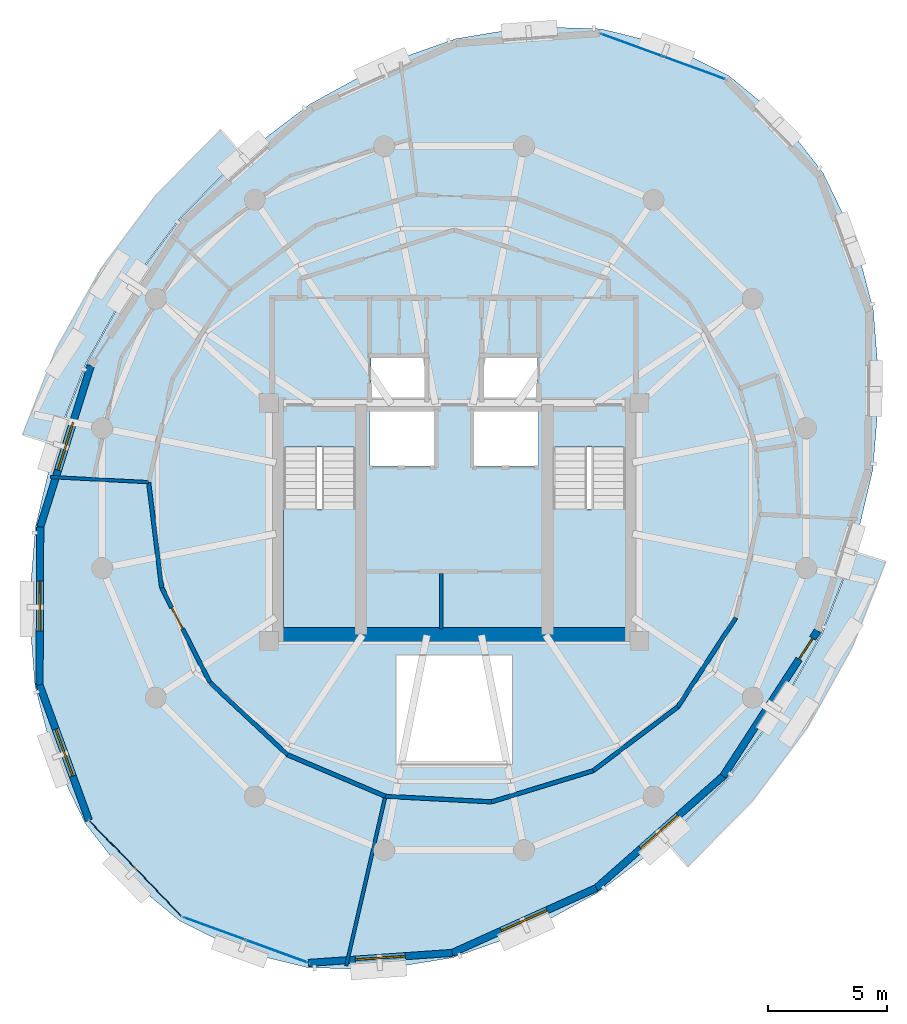
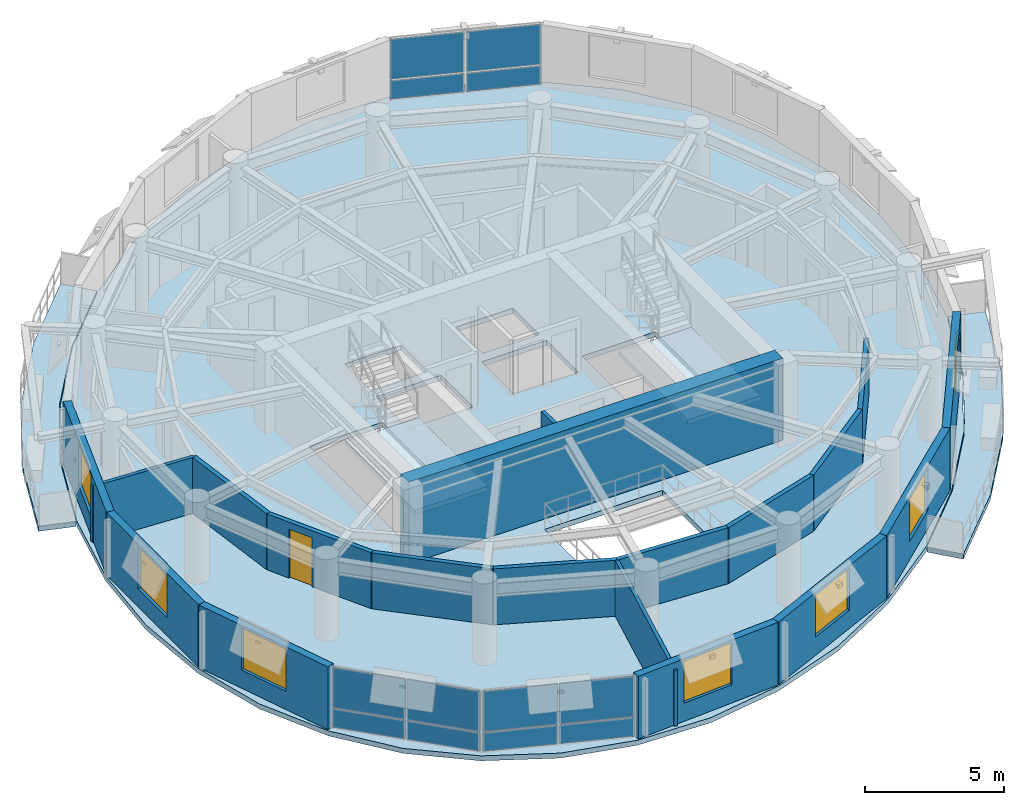
# One storey, part 6 of 11: 19 walls, 12 plates, 6 windows, 5 slabs, 2 doors, 8 openings, 5 elements without a shape of their own.
"""IFC4 building model written with IfcOpenShell, lengths in metres."""

from ifc_helpers import new_model, si_unit, direction, frame, frame_2d, origin, origin_2d, place, context, subcontext, project, spatial, polyline, rectangle, outline, extrude, material, layer, layer_set, type_object, element, fill, aggregate, save


model = new_model("IFC4")

# Units and contexts
model_context = context("Model", 3, precision=1e-05, world=origin(), true_north=direction((0.0, 1.0)))
body_context = subcontext(model_context, "Body", "Model", "MODEL_VIEW")
ifc_project = project(units=[si_unit("LENGTHUNIT", "METRE"), si_unit("AREAUNIT", "SQUARE_METRE"), si_unit("VOLUMEUNIT", "CUBIC_METRE"), si_unit("PLANEANGLEUNIT", "RADIAN"), si_unit("MASSUNIT", "GRAM", prefix="KILO"), si_unit("THERMODYNAMICTEMPERATUREUNIT", "KELVIN"), si_unit("POWERUNIT", "WATT")], contexts=[model_context])

# Site, building, storey
site_placement = place(None, origin())
site = spatial("IfcSite", under=ifc_project, at=site_placement, CompositionType="ELEMENT")
building_placement = place(site_placement, origin())
building = spatial("IfcBuilding", under=site, at=building_placement, Name="Ocrelia Relay Tower", CompositionType="ELEMENT")
storey_placement = place(building_placement, frame((0.0, 0.0, 266.39990234375)))
storey = spatial("IfcBuildingStorey", under=building, at=storey_placement, Name="L66", CompositionType="ELEMENT", Elevation=266.39990234375)

# Curtain wall, plates
ifc_material_1 = material(Name="Aluminium and solar-control low-E glass", Category="aluminium")
ifc_layer_1 = layer(ifc_material_1, 0.179931640625, Name="Aluminium and solar-control low-E glass")
ifc_layer_set_1 = layer_set([ifc_layer_1], Name="Aluminium and solar-control low-E glass")
curtain_wall_type = type_object("IfcCurtainWallType", Name="CW-SYS-Z4-EXEC", PredefinedType="NOTDEFINED", material=ifc_layer_set_1)
curtain_wall_1_placement = place(storey_placement, origin())
curtain_wall_1 = element("IfcCurtainWall", 1, at=curtain_wall_1_placement, inside=storey, type_object=curtain_wall_type, Name="L66 Elliptical Tower Curtain Wall Bay 01", PredefinedType="NOTDEFINED")
ifc_material_2 = material(Name="Clear double-glazed low-E glass", Category="glass")
ifc_layer_2 = layer(ifc_material_2, 0.031982421875, Name="Clear double-glazed low-E glass")
ifc_layer_set_2 = layer_set([ifc_layer_2], Name="Clear double-glazed low-E glass")
plate_type = type_object("IfcPlateType", Name="CW-SYS-Z4-EXEC-PNL", PredefinedType="CURTAIN_PANEL", material=ifc_layer_set_2)
plate_1_placement = place(storey_placement, frame((44.09521484375, 44.101806640625, 0.06005859375), z_axis=(0.0, 0.0, 1.0), x_axis=(-0.939408893215, 0.342798674659, 0.0)))
plate_1 = element("IfcPlate", 2, at=plate_1_placement, type_object=plate_type, Name="CW-Z4 panel 1.1", PredefinedType="CURTAIN_PANEL", context=body_context, shape_type="SweptSolid", body=[
    extrude(rectangle(XDim=2.7275390625, YDim=0.031982421875, at=origin_2d()), origin(), (0.0, 0.0, 1.0), 0.81005859375),
])
plate_2_placement = place(storey_placement, frame((44.09521484375, 44.101806640625, 0.93017578125), z_axis=(0.0, 0.0, 1.0), x_axis=(-0.939408893215, 0.342798674659, 0.0)))
plate_2 = element("IfcPlate", 3, at=plate_2_placement, type_object=plate_type, Name="CW-Z4 panel 1.2", PredefinedType="CURTAIN_PANEL", context=body_context, shape_type="SweptSolid", body=[
    extrude(rectangle(XDim=2.7275390625, YDim=0.031982421875, at=origin_2d()), origin(), (0.0, 0.0, 1.0), 1.77001953125),
])
plate_3_placement = place(storey_placement, frame((41.4716796875, 45.059326171875, 0.06005859375), z_axis=(0.0, 0.0, 1.0), x_axis=(-0.939408893215, 0.342798674659, 0.0)))
plate_3 = element("IfcPlate", 4, at=plate_3_placement, type_object=plate_type, Name="CW-Z4 panel 2.1", PredefinedType="CURTAIN_PANEL", context=body_context, shape_type="SweptSolid", body=[
    extrude(rectangle(XDim=2.7275390625, YDim=0.031982421875, at=origin_2d()), origin(), (0.0, 0.0, 1.0), 0.81005859375),
])
plate_4_placement = place(storey_placement, frame((41.4716796875, 45.059326171875, 0.93017578125), z_axis=(0.0, 0.0, 1.0), x_axis=(-0.939408893215, 0.342798674659, 0.0)))
plate_4 = element("IfcPlate", 5, at=plate_4_placement, type_object=plate_type, Name="CW-Z4 panel 2.2", PredefinedType="CURTAIN_PANEL", context=body_context, shape_type="SweptSolid", body=[
    extrude(rectangle(XDim=2.7275390625, YDim=0.031982421875, at=origin_2d()), origin(), (0.0, 0.0, 1.0), 1.77001953125),
])
aggregate(curtain_wall_1, [plate_1, plate_2, plate_3, plate_4])

curtain_wall_2_placement = place(storey_placement, origin())
curtain_wall_2 = element("IfcCurtainWall", 6, at=curtain_wall_2_placement, inside=storey, type_object=curtain_wall_type, Name="L66 Elliptical Tower Curtain Wall Bay 09", PredefinedType="NOTDEFINED")
plate_5_placement = place(storey_placement, frame((19.627685546875, 11.422119140625, 0.06005859375), z_axis=(0.0, 0.0, 1.0), x_axis=(0.695257493895, -0.718760751004, 0.0)))
plate_5 = element("IfcPlate", 7, at=plate_5_placement, type_object=plate_type, Name="CW-Z4 panel 1.1", PredefinedType="CURTAIN_PANEL", context=body_context, shape_type="SweptSolid", body=[
    extrude(rectangle(XDim=2.7275390625, YDim=0.031982421875, at=origin_2d()), origin(), (0.0, 0.0, 1.0), 0.81005859375),
])
plate_6_placement = place(storey_placement, frame((19.627685546875, 11.422119140625, 0.93017578125), z_axis=(0.0, 0.0, 1.0), x_axis=(0.695257493895, -0.718760751004, 0.0)))
plate_6 = element("IfcPlate", 8, at=plate_6_placement, type_object=plate_type, Name="CW-Z4 panel 1.2", PredefinedType="CURTAIN_PANEL", context=body_context, shape_type="SweptSolid", body=[
    extrude(rectangle(XDim=2.7275390625, YDim=0.031982421875, at=origin_2d()), origin(), (0.0, 0.0, 1.0), 1.77001953125),
])
plate_7_placement = place(storey_placement, frame((21.569091796875, 9.414794921875, 0.06005859375), z_axis=(0.0, 0.0, 1.0), x_axis=(0.695257493895, -0.718760751004, 0.0)))
plate_7 = element("IfcPlate", 9, at=plate_7_placement, type_object=plate_type, Name="CW-Z4 panel 2.1", PredefinedType="CURTAIN_PANEL", context=body_context, shape_type="SweptSolid", body=[
    extrude(rectangle(XDim=2.7275390625, YDim=0.031982421875, at=origin_2d()), origin(), (0.0, 0.0, 1.0), 0.81005859375),
])
plate_8_placement = place(storey_placement, frame((21.569091796875, 9.414794921875, 0.93017578125), z_axis=(0.0, 0.0, 1.0), x_axis=(0.695257493895, -0.718760751004, 0.0)))
plate_8 = element("IfcPlate", 10, at=plate_8_placement, type_object=plate_type, Name="CW-Z4 panel 2.2", PredefinedType="CURTAIN_PANEL", context=body_context, shape_type="SweptSolid", body=[
    extrude(rectangle(XDim=2.7275390625, YDim=0.031982421875, at=origin_2d()), origin(), (0.0, 0.0, 1.0), 1.77001953125),
])
aggregate(curtain_wall_2, [plate_5, plate_6, plate_7, plate_8])

curtain_wall_3_placement = place(storey_placement, origin())
curtain_wall_3 = element("IfcCurtainWall", 11, at=curtain_wall_3_placement, inside=storey, type_object=curtain_wall_type, Name="L66 Elliptical Tower Curtain Wall Bay 10", PredefinedType="NOTDEFINED")
plate_9_placement = place(storey_placement, frame((23.90478515625, 7.898193359375, 0.06005859375), z_axis=(0.0, 0.0, 1.0), x_axis=(0.939408893215, -0.342798674659, 0.0)))
plate_9 = element("IfcPlate", 12, at=plate_9_placement, type_object=plate_type, Name="CW-Z4 panel 1.1", PredefinedType="CURTAIN_PANEL", context=body_context, shape_type="SweptSolid", body=[
    extrude(rectangle(XDim=2.7275390625, YDim=0.031982421875, at=origin_2d()), origin(), (0.0, 0.0, 1.0), 0.81005859375),
])
plate_10_placement = place(storey_placement, frame((23.90478515625, 7.898193359375, 0.93017578125), z_axis=(0.0, 0.0, 1.0), x_axis=(0.939408893215, -0.342798674659, 0.0)))
plate_10 = element("IfcPlate", 13, at=plate_10_placement, type_object=plate_type, Name="CW-Z4 panel 1.2", PredefinedType="CURTAIN_PANEL", context=body_context, shape_type="SweptSolid", body=[
    extrude(rectangle(XDim=2.7275390625, YDim=0.031982421875, at=origin_2d()), origin(), (0.0, 0.0, 1.0), 1.77001953125),
])
plate_11_placement = place(storey_placement, frame((26.5283203125, 6.940673828125, 0.06005859375), z_axis=(0.0, 0.0, 1.0), x_axis=(0.939408893215, -0.342798674659, 0.0)))
plate_11 = element("IfcPlate", 14, at=plate_11_placement, type_object=plate_type, Name="CW-Z4 panel 2.1", PredefinedType="CURTAIN_PANEL", context=body_context, shape_type="SweptSolid", body=[
    extrude(rectangle(XDim=2.7275390625, YDim=0.031982421875, at=origin_2d()), origin(), (0.0, 0.0, 1.0), 0.81005859375),
])
plate_12_placement = place(storey_placement, frame((26.5283203125, 6.940673828125, 0.93017578125), z_axis=(0.0, 0.0, 1.0), x_axis=(0.939408893215, -0.342798674659, 0.0)))
plate_12 = element("IfcPlate", 15, at=plate_12_placement, type_object=plate_type, Name="CW-Z4 panel 2.2", PredefinedType="CURTAIN_PANEL", context=body_context, shape_type="SweptSolid", body=[
    extrude(rectangle(XDim=2.7275390625, YDim=0.031982421875, at=origin_2d()), origin(), (0.0, 0.0, 1.0), 1.77001953125),
])
aggregate(curtain_wall_3, [plate_9, plate_10, plate_11, plate_12])

# Slabs
ifc_material_3 = material(Name="Precast concrete C40/50", Category="concrete")
ifc_layer_3 = layer(ifc_material_3, 0.219970703125, Name="Precast concrete C40/50")
ifc_layer_set_3 = layer_set([ifc_layer_3], Name="Precast concrete C40/50")
slab_type_1 = type_object("IfcSlabType", Name="SL-BALC-220", PredefinedType="FLOOR", material=ifc_layer_set_3)
slab_1_placement = place(storey_placement, frame((0.0, 0.0, -0.219970703125)))
element("IfcSlab", 16, at=slab_1_placement, inside=storey, type_object=slab_type_1, Name="L66 Planted Loggia Balcony B1", PredefinedType="FLOOR", context=body_context, shape_type="SweptSolid", body=[
    extrude(outline(polyline([(25.083251953125, 40.44580078125), (23.801513671875, 39.14794921875), (22.51953125, 37.849853515625), (20.304443359375, 34.89404296875), (18.505126953125, 31.668212890625), (17.8408203125, 29.968994140625), (17.17626953125, 28.270263671875), (15.845947265625, 28.684814453125), (16.545654296875, 30.4736328125), (17.2451171875, 32.2626953125), (19.135986328125, 35.652587890625), (21.464111328125, 38.75927734375), (22.813720703125, 40.125732421875), (24.163330078125, 41.492431640625), (25.083251953125, 40.44580078125)])), origin(), (0.0, 0.0, 1.0), 0.219970703125),
])
slab_2_placement = place(storey_placement, frame((0.0, 0.0, -0.219970703125)))
element("IfcSlab", 17, at=slab_2_placement, inside=storey, type_object=slab_type_1, Name="L66 Planted Loggia Balcony B2", PredefinedType="FLOOR", context=body_context, shape_type="SweptSolid", body=[
    extrude(outline(polyline([(42.916748046875, 11.55419921875), (44.198486328125, 12.85205078125), (45.48046875, 14.150146484375), (47.695556640625, 17.10595703125), (49.494873046875, 20.331787109375), (50.1591796875, 22.031005859375), (50.82373046875, 23.729736328125), (52.154052734375, 23.315185546875), (51.454345703125, 21.5263671875), (50.7548828125, 19.7373046875), (48.864013671875, 16.347412109375), (46.535888671875, 13.24072265625), (45.186279296875, 11.874267578125), (43.836669921875, 10.507568359375), (42.916748046875, 11.55419921875)])), origin(), (0.0, 0.0, 1.0), 0.219970703125),
])
ifc_material_4 = material(Name="Concrete C50/60", Category="concrete")
ifc_layer_4 = layer(ifc_material_4, 0.219970703125, Name="Concrete C50/60")
ifc_layer_set_4 = layer_set([ifc_layer_4], Name="Concrete C50/60")
slab_type_2 = type_object("IfcSlabType", Name="SL-FLR-220", PredefinedType="FLOOR", material=ifc_layer_set_4)
slab_3_placement = place(storey_placement, frame((0.0, 0.0, -0.219970703125)))
element("IfcSlab", 18, at=slab_3_placement, inside=storey, type_object=slab_type_2, Name="L66 Elliptical Tower Floor Slab", PredefinedType="FLOOR", context=body_context, shape_type="SweptSolid", body=[
    extrude(outline(polyline([(45.54638671875, 43.77978515625), (42.9970703125, 45.05126953125), (40.174560546875, 45.743896484375), (37.164306640625, 45.836669921875), (34.057861328125, 45.32666015625), (30.94970703125, 44.229248046875), (27.934326171875, 42.578125), (25.103271484375, 40.42333984375), (22.54248046875, 37.830078125), (20.32958984375, 34.877685546875), (18.532470703125, 31.6552734375), (17.205078125, 28.26123046875), (16.387939453125, 24.79833984375), (16.106201171875, 21.3720703125), (16.367919921875, 18.086181640625), (17.165283203125, 15.041015625), (18.474609375, 12.328857421875), (20.255126953125, 10.031982421875), (22.45361328125, 8.22021484375), (25.0029296875, 6.94873046875), (27.825439453125, 6.256103515625), (30.835693359375, 6.163330078125), (33.942138671875, 6.67333984375), (37.05029296875, 7.770751953125), (40.065673828125, 9.421875), (42.896728515625, 11.57666015625), (45.45751953125, 14.169921875), (47.67041015625, 17.122314453125), (49.467529296875, 20.3447265625), (50.794921875, 23.73876953125), (51.612060546875, 27.20166015625), (51.893798828125, 30.6279296875), (51.632080078125, 33.913818359375), (50.834716796875, 36.958984375), (49.525390625, 39.671142578125), (47.744873046875, 41.968017578125), (45.54638671875, 43.77978515625)]), holes=[polyline([(26.81005859375, 28.14990234375), (26.81005859375, 20.550048828125), (29.85009765625, 20.550048828125), (29.85009765625, 28.14990234375), (26.81005859375, 28.14990234375)]), polyline([(38.159912109375, 28.14990234375), (38.159912109375, 20.550048828125), (41.199951171875, 20.550048828125), (41.199951171875, 28.14990234375), (38.159912109375, 28.14990234375)]), polyline([(30.4599609375, 27.35009765625), (33.159912109375, 27.35009765625), (33.159912109375, 29.64990234375), (30.4599609375, 29.64990234375), (30.4599609375, 27.35009765625)]), polyline([(34.840087890625, 27.35009765625), (37.5400390625, 27.35009765625), (37.5400390625, 29.64990234375), (34.840087890625, 29.64990234375), (34.840087890625, 27.35009765625)]), polyline([(30.5, 30.10009765625), (32.85009765625, 30.10009765625), (32.85009765625, 32.0), (30.5, 32.0), (30.5, 30.10009765625)]), polyline([(35.14990234375, 30.10009765625), (37.5, 30.10009765625), (37.5, 32.0), (35.14990234375, 32.0), (35.14990234375, 30.10009765625)]), polyline([(31.550048828125, 14.800048828125), (36.449951171875, 14.800048828125), (36.449951171875, 19.39990234375), (31.550048828125, 19.39990234375), (31.550048828125, 14.800048828125)])]), origin(), (0.0, 0.0, 1.0), 0.219970703125),
])

# Stair, slab
stair_type = type_object("IfcStairType", Name="ST-DL-1420-R180", PredefinedType="HALF_TURN_STAIR", material=ifc_material_4)
stair_1_placement = place(storey_placement, origin())
stair_1 = element("IfcStair", 19, at=stair_1_placement, inside=storey, type_object=stair_type, Name="L66 West Core Exit Stair ST1", PredefinedType="HALF_TURN_STAIR")
ifc_layer_5 = layer(ifc_material_4, 0.199951171875, Name="Concrete C50/60")
ifc_layer_set_5 = layer_set([ifc_layer_5], Name="Concrete C50/60")
slab_type_3 = type_object("IfcSlabType", Name="SL-LANDING-200", PredefinedType="LANDING", material=ifc_layer_set_5)
slab_4_placement = place(storey_placement, frame((0.0, 0.0, 1.60009765625)))
slab_4 = element("IfcSlab", 20, at=slab_4_placement, type_object=slab_type_3, Name="ST1 landing 1", PredefinedType="LANDING", context=body_context, shape_type="SweptSolid", body=[
    extrude(outline(polyline([(26.81005859375, 25.5400390625), (26.81005859375, 20.550048828125), (29.85009765625, 20.550048828125), (29.85009765625, 25.5400390625), (26.81005859375, 25.5400390625)])), origin(), (0.0, 0.0, 1.0), 0.199951171875),
])
aggregate(stair_1, [slab_4])

stair_2_placement = place(storey_placement, origin())
stair_2 = element("IfcStair", 21, at=stair_2_placement, inside=storey, type_object=stair_type, Name="L66 East Core Exit Stair ST2", PredefinedType="HALF_TURN_STAIR")
slab_5_placement = place(storey_placement, frame((0.0, 0.0, 1.60009765625)))
slab_5 = element("IfcSlab", 22, at=slab_5_placement, type_object=slab_type_3, Name="ST2 landing 1", PredefinedType="LANDING", context=body_context, shape_type="SweptSolid", body=[
    extrude(outline(polyline([(38.159912109375, 25.5400390625), (38.159912109375, 20.550048828125), (41.199951171875, 20.550048828125), (41.199951171875, 25.5400390625), (38.159912109375, 25.5400390625)])), origin(), (0.0, 0.0, 1.0), 0.199951171875),
])
aggregate(stair_2, [slab_5])

# Walls
ifc_layer_6 = layer(ifc_material_4, 0.60009765625, Name="Concrete C50/60")
ifc_layer_set_6 = layer_set([ifc_layer_6], Name="Concrete C50/60")
wall_type_1 = type_object("IfcWallType", Name="CW-CORE-600B", PredefinedType="SHEAR", material=ifc_layer_set_6)
wall_1_placement = place(storey_placement, frame((26.221923828125, 20.261962890625, 0.0), z_axis=(0.0, 0.0, 1.0), x_axis=(1.0, 0.0, 0.0)))
element("IfcWall", 23, at=wall_1_placement, inside=storey, type_object=wall_type_1, Name="L66 Core Shear Wall S", PredefinedType="SHEAR", context=body_context, shape_type="SweptSolid", body=[
    extrude(rectangle(XDim=15.566162109375, YDim=0.60009765625, at=frame_2d((7.783203125, 0.0))), origin(), (0.0, 0.0, 1.0), 3.60009765625),
])
ifc_material_5 = material(Name="Gypsum Fireboard Partition EI60", Category="gypsum")
ifc_layer_7 = layer(ifc_material_5, 0.179931640625, Name="Gypsum Fireboard Partition EI60")
ifc_layer_set_7 = layer_set([ifc_layer_7], Name="Gypsum Fireboard Partition EI60")
wall_type_2 = type_object("IfcWallType", Name="W-CORR-EI60-180", PredefinedType="PARTITIONING", material=ifc_layer_set_7)
wall_2_placement = place(storey_placement, frame((21.147705078125, 26.673583984375, 0.0), z_axis=(0.0, 0.0, 1.0), x_axis=(0.121862979882, -0.992546932963, 0.0)))
element("IfcWall", 24, at=wall_2_placement, inside=storey, type_object=wall_type_2, Name="L66 Treaty Folio Store C Corridor Partition 1", PredefinedType="PARTITIONING", context=body_context, shape_type="SweptSolid", body=[
    extrude(rectangle(XDim=4.469482421875, YDim=0.179931640625, at=frame_2d((2.23486328125, 0.0))), origin(), (0.0, 0.0, 1.0), 2.460205078125),
])

# Wall, opening, door
wall_3_placement = place(storey_placement, frame((21.6923828125, 22.2373046875, 0.0), z_axis=(0.0, 0.0, 1.0), x_axis=(0.453995327743, -0.891004064181, 0.0)))
wall_3 = element("IfcWall", 25, at=wall_3_placement, inside=storey, type_object=wall_type_2, Name="L66 Treaty Folio Store C Corridor Partition 2", PredefinedType="PARTITIONING", context=body_context, shape_type="SweptSolid", body=[
    extrude(rectangle(XDim=4.469970703125, YDim=0.179931640625, at=frame_2d((2.23486328125, 0.0))), origin(), (0.0, 0.0, 1.0), 2.460205078125),
])
opening_1_placement = place(wall_3_placement, frame((0.9423828125, 0.0, 0.0)))
opening_1 = element("IfcOpeningElement", 26, at=opening_1_placement, cuts=wall_3, Name="Opening D-RM100", PredefinedType="OPENING", context=body_context, shape_type="SweptSolid", body=[
    extrude(rectangle(XDim=1.0, YDim=2.14990234375, at=frame_2d((0.5, 1.074951171875))), frame((0.0, 0.10009765625, 0.0), z_axis=(0.0, -1.0, 0.0), x_axis=(1.0, 0.0, 0.0)), (0.0, 0.0, 1.0), 0.199951171875),
])
ifc_material_6 = material(Name="Acoustic oak veneer fire door", Category="wood")
door_type_1 = type_object("IfcDoorType", Name="DR-ROOM-FD60-1000", OperationType="NOTDEFINED", PredefinedType="DOOR", material=ifc_material_6)
door_1_placement = place(opening_1_placement, origin())
door_1 = element("IfcDoor", 27, at=door_1_placement, inside=storey, type_object=door_type_1, Name="L66 Treaty Folio Store C Entrance Door", OperationType="SINGLE_SWING_RIGHT", OverallHeight=2.14990234375, OverallWidth=1.0, PredefinedType="DOOR", context=body_context, shape_type="SweptSolid", body=[
    extrude(rectangle(XDim=1.0, YDim=2.14990234375, at=frame_2d((0.5, 1.074951171875))), frame((0.0, 0.02490234375, 0.0), z_axis=(0.0, -1.0, 0.0), x_axis=(1.0, 0.0, 0.0)), (0.0, 0.0, 1.0), 0.050048828125),
])
fill(opening_1, door_1)

# Walls
for number, where, z_axis, x_axis, name in (
    (28, (23.7216796875, 18.254638671875, 0.0), (0.0, 0.0, 1.0), (0.731338566721, -0.682014589893, 0.0), "L66 Treaty Folio Store C Corridor Partition 3"),
    (29, (26.990478515625, 15.206298828125, 0.0), (0.0, 0.0, 1.0), (0.920518095396, -0.390699930954, 0.0), "L66 Treaty Folio Store C Corridor Partition 4"),
    (30, (31.10498046875, 13.4599609375, 0.0), (0.0, 0.0, 1.0), (0.998627168412, -0.052381089236, 0.0), "L66 Archive Vault Store West Corridor Partition 1"),
    (31, (35.568603515625, 13.225830078125, 0.0), (0.0, 0.0, 1.0), (0.956300674808, 0.292385053247, 0.0), "L66 Archive Vault Store West Corridor Partition 2"),
    (32, (39.843017578125, 14.53271484375, 0.0), (0.0, 0.0, 1.0), (0.798627995496, 0.601824995169, 0.0), "L66 Archive Vault Store West Corridor Partition 3"),
    (33, (43.41259765625, 17.22265625, 0.0), (0.0, 0.0, 1.0), (0.544638874192, 0.838670672385, 0.0), "L66 Archive Vault Store West Corridor Partition 4"),
):
    element("IfcWall", number, at=place(storey_placement, frame(where, z_axis=z_axis, x_axis=x_axis)), inside=storey, type_object=wall_type_2, Name=name, PredefinedType="PARTITIONING", context=body_context, shape_type="SweptSolid", body=[
        extrude(rectangle(XDim=4.4697265625, YDim=0.179931640625, at=frame_2d((2.23486328125, 0.0))), origin(), (0.0, 0.0, 1.0), 2.460205078125),
    ])

# Wall, opening, window
ifc_material_7 = material(Name="Precast concrete C40/50 with oxide terracotta", Category="masonry")
ifc_layer_8 = layer(ifc_material_7, 0.300048828125, Name="Precast concrete C40/50 with oxide terracotta")
ifc_layer_set_8 = layer_set([ifc_layer_8], Name="Precast concrete C40/50 with oxide terracotta")
wall_type_3 = type_object("IfcWallType", Name="W-EXT-TERR-300", PredefinedType="SOLIDWALL", material=ifc_layer_set_8)
wall_4_placement = place(storey_placement, frame((18.716552734375, 31.5771484375, 0.0), z_axis=(0.0, 0.0, 1.0), x_axis=(-0.299202870459, -0.954189521169, 0.0)))
wall_4 = element("IfcWall", 34, at=wall_4_placement, inside=storey, type_object=wall_type_3, Name="L66 Oxide Terracotta Facade Wall 06", PredefinedType="SOLIDWALL", context=body_context, shape_type="SweptSolid", body=[
    extrude(rectangle(XDim=7.115234375, YDim=0.300048828125, at=frame_2d((3.5576171875, 0.0))), origin(), (0.0, 0.0, 1.0), 2.760009765625),
])
opening_2_placement = place(wall_4_placement, frame((2.508056640625, 0.0, 0.800048828125)))
opening_2 = element("IfcOpeningElement", 35, at=opening_2_placement, cuts=wall_4, Name="Opening W-07", PredefinedType="OPENING", context=body_context, shape_type="SweptSolid", body=[
    extrude(rectangle(XDim=2.10009765625, YDim=1.85009765625, at=frame_2d((1.050048828125, 0.925048828125))), frame((0.0, 0.16015625, 0.0), z_axis=(0.0, -1.0, 0.0), x_axis=(1.0, 0.0, 0.0)), (0.0, 0.0, 1.0), 0.320068359375),
])
window_type = type_object("IfcWindowType", Name="WIN-Z4-2100x2200", PartitioningType="DOUBLE_PANEL_VERTICAL", PredefinedType="WINDOW", material=ifc_material_2)
window_1_placement = place(opening_2_placement, origin())
window_1 = element("IfcWindow", 36, at=window_1_placement, inside=storey, type_object=window_type, Name="L66 Facade Module Window 06", OverallHeight=1.85009765625, OverallWidth=2.10009765625, PartitioningType="SINGLE_PANEL", PredefinedType="WINDOW", context=body_context, shape_type="SweptSolid", body=[
    extrude(rectangle(XDim=2.10009765625, YDim=1.85009765625, at=frame_2d((1.050048828125, 0.925048828125))), frame((0.0, 0.030029296875, 0.0), z_axis=(0.0, -1.0, 0.0), x_axis=(1.0, 0.0, 0.0)), (0.0, 0.0, 1.0), 0.06005859375),
])
fill(opening_2, window_1)

wall_5_placement = place(storey_placement, frame((16.587646484375, 24.787841796875, 0.0), z_axis=(0.0, 0.0, 1.0), x_axis=(-0.004299849997, -0.999990755602, 0.0)))
wall_5 = element("IfcWall", 37, at=wall_5_placement, inside=storey, type_object=wall_type_3, Name="L66 Oxide Terracotta Facade Wall 07", PredefinedType="SOLIDWALL", context=body_context, shape_type="SweptSolid", body=[
    extrude(rectangle(XDim=6.64306640625, YDim=0.300048828125, at=frame_2d((3.321533203125, 0.0))), origin(), (0.0, 0.0, 1.0), 2.760009765625),
])
opening_3_placement = place(wall_5_placement, frame((2.27197265625, 0.0, 0.800048828125)))
opening_3 = element("IfcOpeningElement", 38, at=opening_3_placement, cuts=wall_5, Name="Opening W-07", PredefinedType="OPENING", context=body_context, shape_type="SweptSolid", body=[
    extrude(rectangle(XDim=2.10009765625, YDim=1.85009765625, at=frame_2d((1.050048828125, 0.925048828125))), frame((0.0, 0.16015625, 0.0), z_axis=(0.0, -1.0, 0.0), x_axis=(1.0, 0.0, 0.0)), (0.0, 0.0, 1.0), 0.320068359375),
])
window_2_placement = place(opening_3_placement, origin())
window_2 = element("IfcWindow", 39, at=window_2_placement, inside=storey, type_object=window_type, Name="L66 Facade Module Window 07", OverallHeight=1.85009765625, OverallWidth=2.10009765625, PartitioningType="SINGLE_PANEL", PredefinedType="WINDOW", context=body_context, shape_type="SweptSolid", body=[
    extrude(rectangle(XDim=2.10009765625, YDim=1.85009765625, at=frame_2d((1.050048828125, 0.925048828125))), frame((0.0, 0.030029296875, 0.0), z_axis=(0.0, -1.0, 0.0), x_axis=(1.0, 0.0, 0.0)), (0.0, 0.0, 1.0), 0.06005859375),
])
fill(opening_3, window_2)

wall_6_placement = place(storey_placement, frame((16.55908203125, 18.144775390625, 0.0), z_axis=(0.0, 0.0, 1.0), x_axis=(0.342338007152, -0.939576866924, 0.0)))
wall_6 = element("IfcWall", 40, at=wall_6_placement, inside=storey, type_object=wall_type_3, Name="L66 Oxide Terracotta Facade Wall 08", PredefinedType="SOLIDWALL", context=body_context, shape_type="SweptSolid", body=[
    extrude(rectangle(XDim=6.061767578125, YDim=0.300048828125, at=frame_2d((3.03076171875, 0.0))), origin(), (0.0, 0.0, 1.0), 2.760009765625),
])
opening_4_placement = place(wall_6_placement, frame((1.98095703125, 0.0, 0.800048828125)))
opening_4 = element("IfcOpeningElement", 41, at=opening_4_placement, cuts=wall_6, Name="Opening W-07", PredefinedType="OPENING", context=body_context, shape_type="SweptSolid", body=[
    extrude(rectangle(XDim=2.10009765625, YDim=1.85009765625, at=frame_2d((1.050048828125, 0.925048828125))), frame((0.0, 0.16015625, 0.0), z_axis=(0.0, -1.0, 0.0), x_axis=(1.0, 0.0, 0.0)), (0.0, 0.0, 1.0), 0.320068359375),
])
window_3_placement = place(opening_4_placement, origin())
window_3 = element("IfcWindow", 42, at=window_3_placement, inside=storey, type_object=window_type, Name="L66 Facade Module Window 08", OverallHeight=1.85009765625, OverallWidth=2.10009765625, PartitioningType="SINGLE_PANEL", PredefinedType="WINDOW", context=body_context, shape_type="SweptSolid", body=[
    extrude(rectangle(XDim=2.10009765625, YDim=1.85009765625, at=frame_2d((1.050048828125, 0.925048828125))), frame((0.0, 0.030029296875, 0.0), z_axis=(0.0, -1.0, 0.0), x_axis=(1.0, 0.0, 0.0)), (0.0, 0.0, 1.0), 0.06005859375),
])
fill(opening_4, window_3)

wall_7_placement = place(storey_placement, frame((27.87060546875, 6.450927734375, 0.0), z_axis=(0.0, 0.0, 1.0), x_axis=(0.997583677261, 0.069475224808, 0.0)))
wall_7 = element("IfcWall", 43, at=wall_7_placement, inside=storey, type_object=wall_type_3, Name="L66 Oxide Terracotta Facade Wall 11", PredefinedType="SOLIDWALL", context=body_context, shape_type="SweptSolid", body=[
    extrude(rectangle(XDim=6.061767578125, YDim=0.300048828125, at=frame_2d((3.03076171875, 0.0))), origin(), (0.0, 0.0, 1.0), 2.760009765625),
])
opening_5_placement = place(wall_7_placement, frame((1.98095703125, 0.0, 0.800048828125)))
opening_5 = element("IfcOpeningElement", 44, at=opening_5_placement, cuts=wall_7, Name="Opening W-07", PredefinedType="OPENING", context=body_context, shape_type="SweptSolid", body=[
    extrude(rectangle(XDim=2.10009765625, YDim=1.85009765625, at=frame_2d((1.050048828125, 0.925048828125))), frame((0.0, 0.16015625, 0.0), z_axis=(0.0, -1.0, 0.0), x_axis=(1.0, 0.0, 0.0)), (0.0, 0.0, 1.0), 0.320068359375),
])
window_4_placement = place(opening_5_placement, origin())
window_4 = element("IfcWindow", 45, at=window_4_placement, inside=storey, type_object=window_type, Name="L66 Facade Module Window 11", OverallHeight=1.85009765625, OverallWidth=2.10009765625, PartitioningType="SINGLE_PANEL", PredefinedType="WINDOW", context=body_context, shape_type="SweptSolid", body=[
    extrude(rectangle(XDim=2.10009765625, YDim=1.85009765625, at=frame_2d((1.050048828125, 0.925048828125))), frame((0.0, 0.030029296875, 0.0), z_axis=(0.0, -1.0, 0.0), x_axis=(1.0, 0.0, 0.0)), (0.0, 0.0, 1.0), 0.06005859375),
])
fill(opening_5, window_4)

wall_8_placement = place(storey_placement, frame((33.917724609375, 6.8720703125, 0.0), z_axis=(0.0, 0.0, 1.0), x_axis=(0.911790805928, 0.410654996592, 0.0)))
wall_8 = element("IfcWall", 46, at=wall_8_placement, inside=storey, type_object=wall_type_3, Name="L66 Oxide Terracotta Facade Wall 12", PredefinedType="SOLIDWALL", context=body_context, shape_type="SweptSolid", body=[
    extrude(rectangle(XDim=6.64306640625, YDim=0.300048828125, at=frame_2d((3.321533203125, 0.0))), origin(), (0.0, 0.0, 1.0), 2.760009765625),
])
opening_6_placement = place(wall_8_placement, frame((2.27197265625, 0.0, 0.800048828125)))
opening_6 = element("IfcOpeningElement", 47, at=opening_6_placement, cuts=wall_8, Name="Opening W-07", PredefinedType="OPENING", context=body_context, shape_type="SweptSolid", body=[
    extrude(rectangle(XDim=2.10009765625, YDim=1.85009765625, at=frame_2d((1.050048828125, 0.925048828125))), frame((0.0, 0.16015625, 0.0), z_axis=(0.0, -1.0, 0.0), x_axis=(1.0, 0.0, 0.0)), (0.0, 0.0, 1.0), 0.320068359375),
])
window_5_placement = place(opening_6_placement, origin())
window_5 = element("IfcWindow", 48, at=window_5_placement, inside=storey, type_object=window_type, Name="L66 Facade Module Window 12", OverallHeight=1.85009765625, OverallWidth=2.10009765625, PartitioningType="SINGLE_PANEL", PredefinedType="WINDOW", context=body_context, shape_type="SweptSolid", body=[
    extrude(rectangle(XDim=2.10009765625, YDim=1.85009765625, at=frame_2d((1.050048828125, 0.925048828125))), frame((0.0, 0.030029296875, 0.0), z_axis=(0.0, -1.0, 0.0), x_axis=(1.0, 0.0, 0.0)), (0.0, 0.0, 1.0), 0.06005859375),
])
fill(opening_6, window_5)

wall_9_placement = place(storey_placement, frame((39.974853515625, 9.60009765625, 0.0), z_axis=(0.0, 0.0, 1.0), x_axis=(0.750016069433, 0.661419606295, 0.0)))
wall_9 = element("IfcWall", 49, at=wall_9_placement, inside=storey, type_object=wall_type_3, Name="L66 Oxide Terracotta Facade Wall 13", PredefinedType="SOLIDWALL", context=body_context, shape_type="SweptSolid", body=[
    extrude(rectangle(XDim=7.114990234375, YDim=0.300048828125, at=frame_2d((3.5576171875, 0.0))), origin(), (0.0, 0.0, 1.0), 2.760009765625),
])
opening_7_placement = place(wall_9_placement, frame((2.508056640625, 0.0, 0.800048828125)))
opening_7 = element("IfcOpeningElement", 50, at=opening_7_placement, cuts=wall_9, Name="Opening W-07", PredefinedType="OPENING", context=body_context, shape_type="SweptSolid", body=[
    extrude(rectangle(XDim=2.10009765625, YDim=1.85009765625, at=frame_2d((1.050048828125, 0.925048828125))), frame((0.0, 0.16015625, 0.0), z_axis=(0.0, -1.0, 0.0), x_axis=(1.0, 0.0, 0.0)), (0.0, 0.0, 1.0), 0.320068359375),
])
window_6_placement = place(opening_7_placement, origin())
window_6 = element("IfcWindow", 51, at=window_6_placement, inside=storey, type_object=window_type, Name="L66 Facade Module Window 13", OverallHeight=1.85009765625, OverallWidth=2.10009765625, PartitioningType="SINGLE_PANEL", PredefinedType="WINDOW", context=body_context, shape_type="SweptSolid", body=[
    extrude(rectangle(XDim=2.10009765625, YDim=1.85009765625, at=frame_2d((1.050048828125, 0.925048828125))), frame((0.0, 0.030029296875, 0.0), z_axis=(0.0, -1.0, 0.0), x_axis=(1.0, 0.0, 0.0)), (0.0, 0.0, 1.0), 0.06005859375),
])
fill(opening_7, window_6)

# Wall, opening, door
wall_10_placement = place(storey_placement, frame((45.311279296875, 14.30615234375, 0.0), z_axis=(0.0, 0.0, 1.0), x_axis=(0.544632964152, 0.838674510379, 0.0)))
wall_10 = element("IfcWall", 52, at=wall_10_placement, inside=storey, type_object=wall_type_3, Name="L66 Oxide Terracotta Facade Wall 14", PredefinedType="SOLIDWALL", context=body_context, shape_type="SweptSolid", body=[
    extrude(rectangle(XDim=7.293212890625, YDim=0.300048828125, at=frame_2d((3.646484375, 0.0))), origin(), (0.0, 0.0, 1.0), 2.760009765625),
])
opening_8_placement = place(wall_10_placement, frame((5.8701171875, 0.0, 0.0)))
opening_8 = element("IfcOpeningElement", 53, at=opening_8_placement, cuts=wall_10, Name="Opening DB-105", PredefinedType="OPENING", context=body_context, shape_type="SweptSolid", body=[
    extrude(rectangle(XDim=1.050048828125, YDim=2.14990234375, at=frame_2d((0.52490234375, 1.074951171875))), frame((0.0, 0.16015625, 0.0), z_axis=(0.0, -1.0, 0.0), x_axis=(1.0, 0.0, 0.0)), (0.0, 0.0, 1.0), 0.320068359375),
])
ifc_material_8 = material(Name="Thermally broken aluminium and clear glass", Category="aluminium")
door_type_2 = type_object("IfcDoorType", Name="DR-BALC-1050", OperationType="NOTDEFINED", PredefinedType="DOOR", material=ifc_material_8)
door_2_placement = place(opening_8_placement, origin())
door_2 = element("IfcDoor", 54, at=door_2_placement, inside=storey, type_object=door_type_2, Name="L66 Planted Loggia Balcony Door B2", OperationType="SINGLE_SWING_LEFT", OverallHeight=2.14990234375, OverallWidth=1.050048828125, PredefinedType="DOOR", context=body_context, shape_type="SweptSolid", body=[
    extrude(rectangle(XDim=1.050048828125, YDim=2.14990234375, at=frame_2d((0.52490234375, 1.074951171875))), frame((0.0, 0.02490234375, 0.0), z_axis=(0.0, -1.0, 0.0), x_axis=(1.0, 0.0, 0.0)), (0.0, 0.0, 1.0), 0.050048828125),
])
fill(opening_8, door_2)

# Walls
ifc_material_9 = material(Name="Acoustic Fireboard Partition EI60", Category="gypsum")
ifc_layer_9 = layer(ifc_material_9, 0.139892578125, Name="Acoustic Fireboard Partition EI60")
ifc_layer_set_9 = layer_set([ifc_layer_9], Name="Acoustic Fireboard Partition EI60")
wall_type_4 = type_object("IfcWallType", Name="W-PART-140", PredefinedType="PARTITIONING", material=ifc_layer_set_9)
wall_11_placement = place(storey_placement, frame((21.147705078125, 26.673583984375, 0.0), z_axis=(0.0, 0.0, 1.0), x_axis=(-0.998630537504, 0.052316819138, 0.0)))
element("IfcWall", 55, at=wall_11_placement, inside=storey, type_object=wall_type_4, Name="L66 Records Cupboard Store B Radial Partition", PredefinedType="PARTITIONING", context=body_context, shape_type="SweptSolid", body=[
    extrude(rectangle(XDim=4.1298828125, YDim=0.139892578125, at=frame_2d((2.06494140625, 0.0))), origin(), (0.0, 0.0, 1.0), 2.460205078125),
])
wall_12_placement = place(storey_placement, frame((31.10498046875, 13.4599609375, 0.0), z_axis=(0.0, 0.0, 1.0), x_axis=(-0.224976450733, -0.974364201218, 0.0)))
element("IfcWall", 56, at=wall_12_placement, inside=storey, type_object=wall_type_4, Name="L66 Treaty Folio Store C Radial Partition", PredefinedType="PARTITIONING", context=body_context, shape_type="SweptSolid", body=[
    extrude(rectangle(XDim=7.318359375, YDim=0.139892578125, at=frame_2d((3.6591796875, 0.0))), origin(), (0.0, 0.0, 1.0), 2.460205078125),
])
ifc_layer_10 = layer(ifc_material_9, 0.14990234375, Name="Acoustic Fireboard Partition EI60")
ifc_layer_set_10 = layer_set([ifc_layer_10], Name="Acoustic Fireboard Partition EI60")
wall_type_5 = type_object("IfcWallType", Name="W-PART-150", PredefinedType="PARTITIONING", material=ifc_layer_set_10)
wall_13_placement = place(storey_placement, frame((33.4599609375, 20.5, 0.0), z_axis=(0.0, 0.0, 1.0), x_axis=(0.0, 1.0, 0.0)))
element("IfcWall", 57, at=wall_13_placement, inside=storey, type_object=wall_type_5, Name="L66 Reclaimed Core Dividing Wall", PredefinedType="PARTITIONING", context=body_context, shape_type="SweptSolid", body=[
    extrude(rectangle(XDim=2.340087890625, YDim=0.14990234375, at=frame_2d((1.169921875, 0.0))), origin(), (0.0, 0.0, 1.0), 2.460205078125),
])

save(model, "model.ifc")
